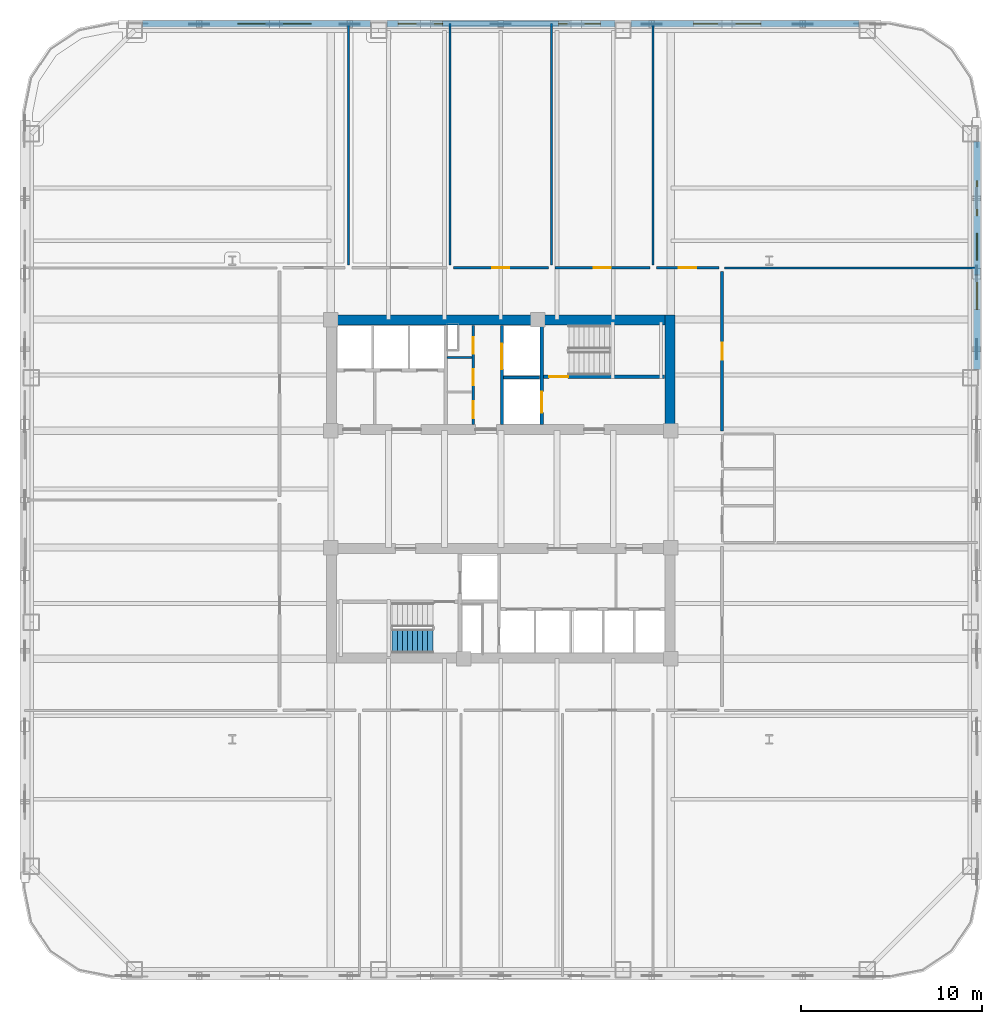
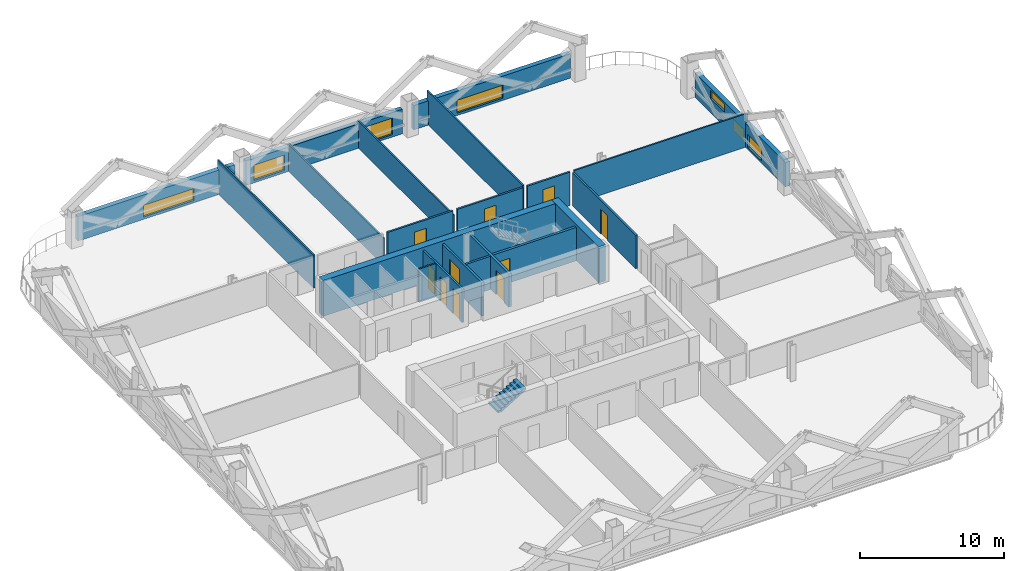
# One storey, part 7 of 14: 21 walls, 10 doors, 7 windows, 1 stair flight, 17 openings, 1 element without a shape of its own.
"""IFC4 building model written with IfcOpenShell, lengths in metres."""

from ifc_helpers import new_model, si_unit, direction, frame, frame_2d, origin, place, context, subcontext, project, spatial, polyline, rectangle, outline, extrude, material, layer, layer_set, type_object, element, fill, aggregate, save


model = new_model("IFC4")

# Units and contexts
model_context = context("Model", 3, precision=1e-05, world=origin(), true_north=direction((0.0, 1.0)))
body_context = subcontext(model_context, "Body", "Model", "MODEL_VIEW")
ifc_project = project(units=[si_unit("LENGTHUNIT", "METRE"), si_unit("AREAUNIT", "SQUARE_METRE"), si_unit("VOLUMEUNIT", "CUBIC_METRE"), si_unit("PLANEANGLEUNIT", "RADIAN"), si_unit("MASSUNIT", "GRAM", prefix="KILO")], contexts=[model_context])

# Site, building, storey
site_placement = place(None, origin())
site = spatial("IfcSite", under=ifc_project, at=site_placement, CompositionType="ELEMENT")
building_placement = place(site_placement, origin())
building = spatial("IfcBuilding", under=site, at=building_placement, Name="Qhalaya Broadcast Tower", CompositionType="ELEMENT")
storey_placement = place(building_placement, frame((0.0, 0.0, 38.300048828125)))
storey = spatial("IfcBuildingStorey", under=building, at=storey_placement, Name="L10", CompositionType="ELEMENT", Elevation=38.300048828125)

# Wall, openings, doors
ifc_material_1 = material(Name="Gypsum Acoustic Partition")
ifc_layer_1 = layer(ifc_material_1, 0.14990234375, Name="Gypsum Acoustic Partition")
ifc_layer_set_1 = layer_set([ifc_layer_1], Name="Gypsum Acoustic Partition")
wall_type_1 = type_object("IfcWallType", Name="Corridor & Tenancy Acoustic Partition 150", PredefinedType="PARTITIONING", material=ifc_layer_set_1)
wall_1_placement = place(storey_placement, frame((-1.52001953125, 4.169921875, 0.0), z_axis=(0.0, 0.0, 1.0), x_axis=(0.0, 1.0, 0.0)))
wall_1 = element("IfcWall", 1, at=wall_1_placement, inside=storey, type_object=wall_type_1, Name="L10 Partition Wall NCW-SVL", PredefinedType="PARTITIONING", context=body_context, shape_type="SweptSolid", body=[
    extrude(rectangle(XDim=5.4599609375, YDim=0.14990234375, at=frame_2d((2.72998046875, 0.0))), origin(), (0.0, 0.0, 1.0), 2.829833984375),
])
opening_1_placement = place(wall_1_placement, frame((3.89990234375, 0.0, 0.0)))
opening_1 = element("IfcOpeningElement", 2, at=opening_1_placement, cuts=wall_1, Name="Opening D06", PredefinedType="OPENING", context=body_context, shape_type="SweptSolid", body=[
    extrude(rectangle(XDim=0.89990234375, YDim=2.050048828125, at=frame_2d((0.449951171875, 1.02490234375))), frame((0.0, 0.0869140625, 0.0), z_axis=(0.0, -1.0, 0.0), x_axis=(1.0, 0.0, 0.0)), (0.0, 0.0, 1.0), 0.173828125),
])
opening_2_placement = place(wall_1_placement, frame((2.14990234375, 0.0, 0.0)))
opening_2 = element("IfcOpeningElement", 3, at=opening_2_placement, cuts=wall_1, Name="Opening D06", PredefinedType="OPENING", context=body_context, shape_type="SweptSolid", body=[
    extrude(rectangle(XDim=0.89990234375, YDim=2.050048828125, at=frame_2d((0.449951171875, 1.02490234375))), frame((0.0, 0.0869140625, 0.0), z_axis=(0.0, -1.0, 0.0), x_axis=(1.0, 0.0, 0.0)), (0.0, 0.0, 1.0), 0.173828125),
])
opening_3_placement = place(wall_1_placement, frame((0.35009765625, 0.0, 0.0)))
opening_3 = element("IfcOpeningElement", 4, at=opening_3_placement, cuts=wall_1, Name="Opening D12", PredefinedType="OPENING", context=body_context, shape_type="SweptSolid", body=[
    extrude(rectangle(XDim=0.919921875, YDim=2.10009765625, at=frame_2d((0.4599609375, 1.050048828125))), frame((0.0, 0.0869140625, 0.0), z_axis=(0.0, -1.0, 0.0), x_axis=(1.0, 0.0, 0.0)), (0.0, 0.0, 1.0), 0.173828125),
])
ifc_material_2 = material(Name="Timber Veneer Acoustic Door", Category="wood")
door_type_1 = type_object("IfcDoorType", Name="Accessible WC & Restroom Door D12", OperationType="NOTDEFINED", PredefinedType="DOOR", material=ifc_material_2)
door_1_placement = place(opening_3_placement, origin())
door_1 = element("IfcDoor", 5, at=door_1_placement, inside=storey, type_object=door_type_1, Name="L10 Door D-NCWC", OperationType="SINGLE_SWING_RIGHT", OverallHeight=2.10009765625, OverallWidth=0.919921875, PredefinedType="DOOR", context=body_context, shape_type="SweptSolid", body=[
    extrude(rectangle(XDim=0.919921875, YDim=2.10009765625, at=frame_2d((0.4599609375, 1.050048828125))), frame((0.0, 0.02490234375, 0.0), z_axis=(0.0, -1.0, 0.0), x_axis=(1.0, 0.0, 0.0)), (0.0, 0.0, 1.0), 0.050048828125),
])
fill(opening_3, door_1)
ifc_material_3 = material(Name="Fire-Rated Steel Door", Category="steel")
door_type_2 = type_object("IfcDoorType", Name="Riser & Electrical Shaft Access Door D06", OperationType="NOTDEFINED", PredefinedType="DOOR", material=ifc_material_3)
door_2_placement = place(opening_1_placement, origin())
door_2 = element("IfcDoor", 6, at=door_2_placement, inside=storey, type_object=door_type_2, Name="L10 Riser Shaft Access Door D-NRSR", OperationType="SINGLE_SWING_RIGHT", OverallHeight=2.050048828125, OverallWidth=0.89990234375, PredefinedType="DOOR", context=body_context, shape_type="SweptSolid", body=[
    extrude(rectangle(XDim=0.89990234375, YDim=2.050048828125, at=frame_2d((0.449951171875, 1.02490234375))), frame((0.0, 0.02490234375, 0.0), z_axis=(0.0, -1.0, 0.0), x_axis=(1.0, 0.0, 0.0)), (0.0, 0.0, 1.0), 0.050048828125),
])
fill(opening_1, door_2)
door_3_placement = place(opening_2_placement, origin())
door_3 = element("IfcDoor", 7, at=door_3_placement, inside=storey, type_object=door_type_2, Name="L10 Door D-NITR", OperationType="SINGLE_SWING_LEFT", OverallHeight=2.050048828125, OverallWidth=0.89990234375, PredefinedType="DOOR", context=body_context, shape_type="SweptSolid", body=[
    extrude(rectangle(XDim=0.89990234375, YDim=2.050048828125, at=frame_2d((0.449951171875, 1.02490234375))), frame((0.0, 0.02490234375, 0.0), z_axis=(0.0, -1.0, 0.0), x_axis=(1.0, 0.0, 0.0)), (0.0, 0.0, 1.0), 0.050048828125),
])
fill(opening_2, door_3)

# Wall, opening, door
wall_2_placement = place(storey_placement, frame((-2.6201171875, 12.800048828125, 0.0), z_axis=(0.0, 0.0, 1.0), x_axis=(1.0, 0.0, 0.0)))
wall_2 = element("IfcWall", 8, at=wall_2_placement, inside=storey, type_object=wall_type_1, Name="L10 Partition Wall W-COR-03", PredefinedType="PARTITIONING", context=body_context, shape_type="SweptSolid", body=[
    extrude(rectangle(XDim=5.240234375, YDim=0.14990234375, at=frame_2d((2.6201171875, 0.0))), origin(), (0.0, 0.0, 1.0), 2.829833984375),
])
opening_4_placement = place(wall_2_placement, frame((2.14501953125, 0.0, 0.0)))
opening_4 = element("IfcOpeningElement", 9, at=opening_4_placement, cuts=wall_2, Name="Opening D10", PredefinedType="OPENING", context=body_context, shape_type="SweptSolid", body=[
    extrude(rectangle(XDim=0.949951171875, YDim=2.10009765625, at=frame_2d((0.47509765625, 1.050048828125))), frame((0.0, 0.0869140625, 0.0), z_axis=(0.0, -1.0, 0.0), x_axis=(1.0, 0.0, 0.0)), (0.0, 0.0, 1.0), 0.173828125),
])
door_type_3 = type_object("IfcDoorType", Name="Cellular Office & Edit Booth Door D10", OperationType="NOTDEFINED", PredefinedType="DOOR", material=ifc_material_2)
door_4_placement = place(opening_4_placement, origin())
door_4 = element("IfcDoor", 10, at=door_4_placement, inside=storey, type_object=door_type_3, Name="L10 Door D-RM03", OperationType="SINGLE_SWING_RIGHT", OverallHeight=2.10009765625, OverallWidth=0.949951171875, PredefinedType="DOOR", context=body_context, shape_type="SweptSolid", body=[
    extrude(rectangle(XDim=0.949951171875, YDim=2.10009765625, at=frame_2d((0.47509765625, 1.050048828125))), frame((0.0, 0.02490234375, 0.0), z_axis=(0.0, -1.0, 0.0), x_axis=(1.0, 0.0, 0.0)), (0.0, 0.0, 1.0), 0.050048828125),
])
fill(opening_4, door_4)

wall_3_placement = place(storey_placement, frame((2.97998046875, 12.800048828125, 0.0), z_axis=(0.0, 0.0, 1.0), x_axis=(1.0, 0.0, 0.0)))
wall_3 = element("IfcWall", 11, at=wall_3_placement, inside=storey, type_object=wall_type_1, Name="L10 Partition Wall W-COR-04", PredefinedType="PARTITIONING", context=body_context, shape_type="SweptSolid", body=[
    extrude(rectangle(XDim=5.239990234375, YDim=0.14990234375, at=frame_2d((2.6201171875, 0.0))), origin(), (0.0, 0.0, 1.0), 2.829833984375),
])
opening_5_placement = place(wall_3_placement, frame((2.14501953125, 0.0, 0.0)))
opening_5 = element("IfcOpeningElement", 12, at=opening_5_placement, cuts=wall_3, Name="Opening D10", PredefinedType="OPENING", context=body_context, shape_type="SweptSolid", body=[
    extrude(rectangle(XDim=0.949951171875, YDim=2.10009765625, at=frame_2d((0.47509765625, 1.050048828125))), frame((0.0, 0.0869140625, 0.0), z_axis=(0.0, -1.0, 0.0), x_axis=(1.0, 0.0, 0.0)), (0.0, 0.0, 1.0), 0.173828125),
])
door_5_placement = place(opening_5_placement, origin())
door_5 = element("IfcDoor", 13, at=door_5_placement, inside=storey, type_object=door_type_3, Name="L10 Door D-RM04", OperationType="SINGLE_SWING_LEFT", OverallHeight=2.10009765625, OverallWidth=0.949951171875, PredefinedType="DOOR", context=body_context, shape_type="SweptSolid", body=[
    extrude(rectangle(XDim=0.949951171875, YDim=2.10009765625, at=frame_2d((0.47509765625, 1.050048828125))), frame((0.0, 0.02490234375, 0.0), z_axis=(0.0, -1.0, 0.0), x_axis=(1.0, 0.0, 0.0)), (0.0, 0.0, 1.0), 0.050048828125),
])
fill(opening_5, door_5)

wall_4_placement = place(storey_placement, frame((8.580078125, 12.800048828125, 0.0), z_axis=(0.0, 0.0, 1.0), x_axis=(1.0, 0.0, 0.0)))
wall_4 = element("IfcWall", 14, at=wall_4_placement, inside=storey, type_object=wall_type_1, Name="L10 Partition Wall W-COR-05", PredefinedType="PARTITIONING", context=body_context, shape_type="SweptSolid", body=[
    extrude(rectangle(XDim=3.43994140625, YDim=0.14990234375, at=frame_2d((1.719970703125, 0.0))), origin(), (0.0, 0.0, 1.0), 2.829833984375),
])
opening_6_placement = place(wall_4_placement, frame((1.2451171875, 0.0, 0.0)))
opening_6 = element("IfcOpeningElement", 15, at=opening_6_placement, cuts=wall_4, Name="Opening D10", PredefinedType="OPENING", context=body_context, shape_type="SweptSolid", body=[
    extrude(rectangle(XDim=0.949951171875, YDim=2.10009765625, at=frame_2d((0.47509765625, 1.050048828125))), frame((0.0, 0.0869140625, 0.0), z_axis=(0.0, -1.0, 0.0), x_axis=(1.0, 0.0, 0.0)), (0.0, 0.0, 1.0), 0.173828125),
])
door_6_placement = place(opening_6_placement, origin())
door_6 = element("IfcDoor", 16, at=door_6_placement, inside=storey, type_object=door_type_3, Name="L10 Door D-RM05", OperationType="SINGLE_SWING_RIGHT", OverallHeight=2.10009765625, OverallWidth=0.949951171875, PredefinedType="DOOR", context=body_context, shape_type="SweptSolid", body=[
    extrude(rectangle(XDim=0.949951171875, YDim=2.10009765625, at=frame_2d((0.47509765625, 1.050048828125))), frame((0.0, 0.02490234375, 0.0), z_axis=(0.0, -1.0, 0.0), x_axis=(1.0, 0.0, 0.0)), (0.0, 0.0, 1.0), 0.050048828125),
])
fill(opening_6, door_6)

wall_5_placement = place(storey_placement, frame((12.199951171875, 3.800048828125, 0.0), z_axis=(0.0, 0.0, 1.0), x_axis=(0.0, 1.0, 0.0)))
wall_5 = element("IfcWall", 17, at=wall_5_placement, inside=storey, type_object=wall_type_1, Name="L10 Partition Wall W-COR-14", PredefinedType="PARTITIONING", context=body_context, shape_type="SweptSolid", body=[
    extrude(rectangle(XDim=8.800048828125, YDim=0.14990234375, at=frame_2d((4.39990234375, 0.0))), origin(), (0.0, 0.0, 1.0), 2.829833984375),
])
opening_7_placement = place(wall_5_placement, frame((3.925048828125, 0.0, 0.0)))
opening_7 = element("IfcOpeningElement", 18, at=opening_7_placement, cuts=wall_5, Name="Opening D10", PredefinedType="OPENING", context=body_context, shape_type="SweptSolid", body=[
    extrude(rectangle(XDim=0.949951171875, YDim=2.10009765625, at=frame_2d((0.47509765625, 1.050048828125))), frame((0.0, 0.0869140625, 0.0), z_axis=(0.0, -1.0, 0.0), x_axis=(1.0, 0.0, 0.0)), (0.0, 0.0, 1.0), 0.173828125),
])
door_7_placement = place(opening_7_placement, origin())
door_7 = element("IfcDoor", 19, at=door_7_placement, inside=storey, type_object=door_type_3, Name="L10 Door D-RM14", OperationType="SINGLE_SWING_LEFT", OverallHeight=2.10009765625, OverallWidth=0.949951171875, PredefinedType="DOOR", context=body_context, shape_type="SweptSolid", body=[
    extrude(rectangle(XDim=0.949951171875, YDim=2.10009765625, at=frame_2d((0.47509765625, 1.050048828125))), frame((0.0, 0.02490234375, 0.0), z_axis=(0.0, -1.0, 0.0), x_axis=(1.0, 0.0, 0.0)), (0.0, 0.0, 1.0), 0.050048828125),
])
fill(opening_7, door_7)

# Wall, openings, windows
ifc_material_4 = material(Name="Precast Concrete C40/50", Category="concrete")
ifc_layer_2 = layer(ifc_material_4, 0.360107421875, Name="Precast Concrete C40/50")
ifc_layer_set_2 = layer_set([ifc_layer_2], Name="Precast Concrete C40/50")
wall_type_2 = type_object("IfcWallType", Name="Insulated Precast Terracotta Exterior Wall 360", PredefinedType="SOLIDWALL", material=ifc_layer_set_2)
wall_6_placement = place(storey_placement, frame((26.260009765625, 19.761962890625, 0.0), z_axis=(0.0, 0.0, 1.0), x_axis=(0.0, -1.0, 0.0)))
wall_6 = element("IfcWall", 20, at=wall_6_placement, inside=storey, type_object=wall_type_2, Name="L10 Exoskeleton Diagrid Infill Wall E1", PredefinedType="SOLIDWALL", context=body_context, shape_type="SweptSolid", body=[
    extrude(rectangle(XDim=12.57861328125, YDim=0.360107421875, at=frame_2d((6.289306640625, 0.0))), origin(), (0.0, 0.0, 1.0), 2.06689453125),
])
opening_8_placement = place(wall_6_placement, frame((2.14990234375, 0.0, 1.199951171875)))
opening_8 = element("IfcOpeningElement", 21, at=opening_8_placement, cuts=wall_6, Name="Opening W11", PredefinedType="OPENING", context=body_context, shape_type="SweptSolid", body=[
    extrude(rectangle(XDim=1.949951171875, YDim=0.699951171875, at=frame_2d((0.97509765625, 0.35009765625))), frame((0.0, 0.192138671875, 0.0), z_axis=(0.0, -1.0, 0.0), x_axis=(1.0, 0.0, 0.0)), (0.0, 0.0, 1.0), 0.384033203125),
])
opening_9_placement = place(wall_6_placement, frame((5.050048828125, 0.0, 0.199951171875)))
opening_9 = element("IfcOpeningElement", 22, at=opening_9_placement, cuts=wall_6, Name="Opening W11", PredefinedType="OPENING", context=body_context, shape_type="SweptSolid", body=[
    extrude(rectangle(XDim=1.5, YDim=0.949951171875, at=frame_2d((0.75, 0.47509765625))), frame((0.0, 0.192138671875, 0.0), z_axis=(0.0, -1.0, 0.0), x_axis=(1.0, 0.0, 0.0)), (0.0, 0.0, 1.0), 0.384033203125),
])
opening_10_placement = place(wall_6_placement, frame((7.35009765625, 0.0, 0.199951171875)))
opening_10 = element("IfcOpeningElement", 23, at=opening_10_placement, cuts=wall_6, Name="Opening W11", PredefinedType="OPENING", context=body_context, shape_type="SweptSolid", body=[
    extrude(rectangle(XDim=1.89990234375, YDim=1.10009765625, at=frame_2d((0.949951171875, 0.550048828125))), frame((0.0, 0.192138671875, 0.0), z_axis=(0.0, -1.0, 0.0), x_axis=(1.0, 0.0, 0.0)), (0.0, 0.0, 1.0), 0.384033203125),
])
ifc_material_5 = material(Name="Solar-Control Low-E Triple Glazing", Category="glass")
window_type = type_object("IfcWindowType", Name="Odd-Block Diagrid Infill Window W11", PartitioningType="SINGLE_PANEL", PredefinedType="WINDOW", material=ifc_material_5)
window_1_placement = place(opening_8_placement, origin())
window_1 = element("IfcWindow", 24, at=window_1_placement, inside=storey, type_object=window_type, Name="L10 Diagrid Infill Window W11-E1", OverallHeight=0.699951171875, OverallWidth=1.949951171875, PartitioningType="SINGLE_PANEL", PredefinedType="WINDOW", context=body_context, shape_type="SweptSolid", body=[
    extrude(rectangle(XDim=1.949951171875, YDim=0.699951171875, at=frame_2d((0.97509765625, 0.35009765625))), frame((0.0, 0.030029296875, 0.0), z_axis=(0.0, -1.0, 0.0), x_axis=(1.0, 0.0, 0.0)), (0.0, 0.0, 1.0), 0.06005859375),
])
fill(opening_8, window_1)
window_2_placement = place(opening_9_placement, origin())
window_2 = element("IfcWindow", 25, at=window_2_placement, inside=storey, type_object=window_type, Name="L10 Diagrid Infill Window W11-E2", OverallHeight=0.949951171875, OverallWidth=1.5, PartitioningType="SINGLE_PANEL", PredefinedType="WINDOW", context=body_context, shape_type="SweptSolid", body=[
    extrude(rectangle(XDim=1.5, YDim=0.949951171875, at=frame_2d((0.75, 0.47509765625))), frame((0.0, 0.030029296875, 0.0), z_axis=(0.0, -1.0, 0.0), x_axis=(1.0, 0.0, 0.0)), (0.0, 0.0, 1.0), 0.06005859375),
])
fill(opening_9, window_2)
window_3_placement = place(opening_10_placement, origin())
window_3 = element("IfcWindow", 26, at=window_3_placement, inside=storey, type_object=window_type, Name="L10 Diagrid Infill Window W11-E3", OverallHeight=1.10009765625, OverallWidth=1.89990234375, PartitioningType="SINGLE_PANEL", PredefinedType="WINDOW", context=body_context, shape_type="SweptSolid", body=[
    extrude(rectangle(XDim=1.89990234375, YDim=1.10009765625, at=frame_2d((0.949951171875, 0.550048828125))), frame((0.0, 0.030029296875, 0.0), z_axis=(0.0, -1.0, 0.0), x_axis=(1.0, 0.0, 0.0)), (0.0, 0.0, 1.0), 0.06005859375),
])
fill(opening_10, window_3)

# Wall, opening, window
wall_7_placement = place(storey_placement, frame((-19.761962890625, 26.260009765625, 0.0), z_axis=(0.0, 0.0, 1.0), x_axis=(1.0, 0.0, 0.0)))
wall_7 = element("IfcWall", 27, at=wall_7_placement, inside=storey, type_object=wall_type_2, Name="L10 Exoskeleton Diagrid Infill Wall N1", PredefinedType="SOLIDWALL", context=body_context, shape_type="SweptSolid", body=[
    extrude(rectangle(XDim=12.57861328125, YDim=0.360107421875, at=frame_2d((6.289306640625, 0.0))), origin(), (0.0, 0.0, 1.0), 2.06689453125),
])
opening_11_placement = place(wall_7_placement, frame((5.25, 0.0, 0.199951171875)))
opening_11 = element("IfcOpeningElement", 28, at=opening_11_placement, cuts=wall_7, Name="Opening W11", PredefinedType="OPENING", context=body_context, shape_type="SweptSolid", body=[
    extrude(rectangle(XDim=4.050048828125, YDim=1.0, at=frame_2d((2.02490234375, 0.5))), frame((0.0, 0.192138671875, 0.0), z_axis=(0.0, -1.0, 0.0), x_axis=(1.0, 0.0, 0.0)), (0.0, 0.0, 1.0), 0.384033203125),
])
window_4_placement = place(opening_11_placement, origin())
window_4 = element("IfcWindow", 29, at=window_4_placement, inside=storey, type_object=window_type, Name="L10 Diagrid Infill Window W11-N1", OverallHeight=1.0, OverallWidth=4.050048828125, PartitioningType="SINGLE_PANEL", PredefinedType="WINDOW", context=body_context, shape_type="SweptSolid", body=[
    extrude(rectangle(XDim=4.050048828125, YDim=1.0, at=frame_2d((2.02490234375, 0.5))), frame((0.0, 0.030029296875, 0.0), z_axis=(0.0, -1.0, 0.0), x_axis=(1.0, 0.0, 0.0)), (0.0, 0.0, 1.0), 0.06005859375),
])
fill(opening_11, window_4)

# Wall, openings, windows
wall_8_placement = place(storey_placement, frame((-6.283203125, 26.260009765625, 0.0), z_axis=(0.0, 0.0, 1.0), x_axis=(1.0, 0.0, 0.0)))
wall_8 = element("IfcWall", 30, at=wall_8_placement, inside=storey, type_object=wall_type_2, Name="L10 Exoskeleton Diagrid Infill Wall N2", PredefinedType="SOLIDWALL", context=body_context, shape_type="SweptSolid", body=[
    extrude(rectangle(XDim=12.56640625, YDim=0.360107421875, at=frame_2d((6.283203125, 0.0))), origin(), (0.0, 0.0, 1.0), 2.06689453125),
])
opening_12_placement = place(wall_8_placement, frame((0.62109375, 0.0, 0.199951171875)))
opening_12 = element("IfcOpeningElement", 31, at=opening_12_placement, cuts=wall_8, Name="Opening W11", PredefinedType="OPENING", context=body_context, shape_type="SweptSolid", body=[
    extrude(rectangle(XDim=2.449951171875, YDim=1.300048828125, at=frame_2d((1.22509765625, 0.64990234375))), frame((0.0, 0.192138671875, 0.0), z_axis=(0.0, -1.0, 0.0), x_axis=(1.0, 0.0, 0.0)), (0.0, 0.0, 1.0), 0.384033203125),
])
opening_13_placement = place(wall_8_placement, frame((9.470947265625, 0.0, 0.199951171875)))
opening_13 = element("IfcOpeningElement", 32, at=opening_13_placement, cuts=wall_8, Name="Opening W11", PredefinedType="OPENING", context=body_context, shape_type="SweptSolid", body=[
    extrude(rectangle(XDim=2.300048828125, YDim=1.39990234375, at=frame_2d((1.14990234375, 0.699951171875))), frame((0.0, 0.192138671875, 0.0), z_axis=(0.0, -1.0, 0.0), x_axis=(1.0, 0.0, 0.0)), (0.0, 0.0, 1.0), 0.384033203125),
])
window_5_placement = place(opening_12_placement, origin())
window_5 = element("IfcWindow", 33, at=window_5_placement, inside=storey, type_object=window_type, Name="L10 Diagrid Infill Window W11-N2", OverallHeight=1.300048828125, OverallWidth=2.449951171875, PartitioningType="SINGLE_PANEL", PredefinedType="WINDOW", context=body_context, shape_type="SweptSolid", body=[
    extrude(rectangle(XDim=2.449951171875, YDim=1.300048828125, at=frame_2d((1.22509765625, 0.64990234375))), frame((0.0, 0.030029296875, 0.0), z_axis=(0.0, -1.0, 0.0), x_axis=(1.0, 0.0, 0.0)), (0.0, 0.0, 1.0), 0.06005859375),
])
fill(opening_12, window_5)
window_6_placement = place(opening_13_placement, origin())
window_6 = element("IfcWindow", 34, at=window_6_placement, inside=storey, type_object=window_type, Name="L10 Diagrid Infill Window W11-N3", OverallHeight=1.39990234375, OverallWidth=2.300048828125, PartitioningType="SINGLE_PANEL", PredefinedType="WINDOW", context=body_context, shape_type="SweptSolid", body=[
    extrude(rectangle(XDim=2.300048828125, YDim=1.39990234375, at=frame_2d((1.14990234375, 0.699951171875))), frame((0.0, 0.030029296875, 0.0), z_axis=(0.0, -1.0, 0.0), x_axis=(1.0, 0.0, 0.0)), (0.0, 0.0, 1.0), 0.06005859375),
])
fill(opening_13, window_6)

# Wall, opening, window
wall_9_placement = place(storey_placement, frame((7.183349609375, 26.260009765625, 0.0), z_axis=(0.0, 0.0, 1.0), x_axis=(1.0, 0.0, 0.0)))
wall_9 = element("IfcWall", 35, at=wall_9_placement, inside=storey, type_object=wall_type_2, Name="L10 Exoskeleton Diagrid Infill Wall N3", PredefinedType="SOLIDWALL", context=body_context, shape_type="SweptSolid", body=[
    extrude(rectangle(XDim=12.57861328125, YDim=0.360107421875, at=frame_2d((6.289306640625, 0.0))), origin(), (0.0, 0.0, 1.0), 2.06689453125),
])
opening_14_placement = place(wall_9_placement, frame((3.455078125, 0.0, 0.199951171875)))
opening_14 = element("IfcOpeningElement", 36, at=opening_14_placement, cuts=wall_9, Name="Opening W11", PredefinedType="OPENING", context=body_context, shape_type="SweptSolid", body=[
    extrude(rectangle(XDim=3.699951171875, YDim=1.10009765625, at=frame_2d((1.85009765625, 0.550048828125))), frame((0.0, 0.192138671875, 0.0), z_axis=(0.0, -1.0, 0.0), x_axis=(1.0, 0.0, 0.0)), (0.0, 0.0, 1.0), 0.384033203125),
])
window_7_placement = place(opening_14_placement, origin())
window_7 = element("IfcWindow", 37, at=window_7_placement, inside=storey, type_object=window_type, Name="L10 Diagrid Infill Window W11-N4", OverallHeight=1.10009765625, OverallWidth=3.699951171875, PartitioningType="SINGLE_PANEL", PredefinedType="WINDOW", context=body_context, shape_type="SweptSolid", body=[
    extrude(rectangle(XDim=3.699951171875, YDim=1.10009765625, at=frame_2d((1.85009765625, 0.550048828125))), frame((0.0, 0.030029296875, 0.0), z_axis=(0.0, -1.0, 0.0), x_axis=(1.0, 0.0, 0.0)), (0.0, 0.0, 1.0), 0.06005859375),
])
fill(opening_14, window_7)

# Wall, opening, door
ifc_material_6 = material(Name="Concrete C50/60", Category="concrete")
ifc_layer_3 = layer(ifc_material_6, 0.199951171875, Name="Concrete C50/60")
ifc_layer_set_3 = layer_set([ifc_layer_3], Name="Concrete C50/60")
wall_type_3 = type_object("IfcWallType", Name="Load-Bearing Stair Shaft Wall 200", PredefinedType="SHEAR", material=ifc_layer_set_3)
wall_10_placement = place(storey_placement, frame((2.360107421875, 6.804931640625, 0.0), z_axis=(0.0, 0.0, 1.0), x_axis=(1.0, 0.0, 0.0)))
wall_10 = element("IfcWall", 38, at=wall_10_placement, inside=storey, type_object=wall_type_3, Name="L10 Stair Core Shear Wall NCW-ST1", PredefinedType="SHEAR", context=body_context, shape_type="SweptSolid", body=[
    extrude(rectangle(XDim=6.669921875, YDim=0.199951171875, at=frame_2d((3.3349609375, 0.0))), origin(), (0.0, 0.0, 1.0), 2.829833984375),
])
opening_15_placement = place(wall_10_placement, frame((0.300048828125, 0.0, 0.0)))
opening_15 = element("IfcOpeningElement", 39, at=opening_15_placement, cuts=wall_10, Name="Opening D03", PredefinedType="OPENING", context=body_context, shape_type="SweptSolid", body=[
    extrude(rectangle(XDim=1.050048828125, YDim=2.080078125, at=frame_2d((0.52490234375, 1.0400390625))), frame((0.0, 0.112060546875, 0.0), z_axis=(0.0, -1.0, 0.0), x_axis=(1.0, 0.0, 0.0)), (0.0, 0.0, 1.0), 0.223876953125),
])
door_type_4 = type_object("IfcDoorType", Name="Core Stair Protected Fire Door D03", OperationType="NOTDEFINED", PredefinedType="DOOR", material=ifc_material_3)
door_8_placement = place(opening_15_placement, origin())
door_8 = element("IfcDoor", 40, at=door_8_placement, inside=storey, type_object=door_type_4, Name="L10 Door D-NST1", OperationType="SINGLE_SWING_LEFT", OverallHeight=2.080078125, OverallWidth=1.050048828125, PredefinedType="DOOR", context=body_context, shape_type="SweptSolid", body=[
    extrude(rectangle(XDim=1.050048828125, YDim=2.080078125, at=frame_2d((0.52490234375, 1.0400390625))), frame((0.0, 0.02490234375, 0.0), z_axis=(0.0, -1.0, 0.0), x_axis=(1.0, 0.0, 0.0)), (0.0, 0.0, 1.0), 0.050048828125),
])
fill(opening_15, door_8)

wall_11_placement = place(storey_placement, frame((2.25, 4.169921875, 0.0), z_axis=(0.0, 0.0, 1.0), x_axis=(0.0, 1.0, 0.0)))
wall_11 = element("IfcWall", 41, at=wall_11_placement, inside=storey, type_object=wall_type_3, Name="L10 Stair Core Shear Wall NCW-FF", PredefinedType="SHEAR", context=body_context, shape_type="SweptSolid", body=[
    extrude(rectangle(XDim=5.4599609375, YDim=0.199951171875, at=frame_2d((2.72998046875, 0.0))), origin(), (0.0, 0.0, 1.0), 2.829833984375),
])
opening_16_placement = place(wall_11_placement, frame((0.64990234375, 0.0, 0.0)))
opening_16 = element("IfcOpeningElement", 42, at=opening_16_placement, cuts=wall_11, Name="Opening LD2", PredefinedType="OPENING", context=body_context, shape_type="SweptSolid", body=[
    extrude(rectangle(XDim=1.14990234375, YDim=2.080078125, at=frame_2d((0.574951171875, 1.0400390625))), frame((0.0, 0.112060546875, 0.0), z_axis=(0.0, -1.0, 0.0), x_axis=(1.0, 0.0, 0.0)), (0.0, 0.0, 1.0), 0.223876953125),
])
ifc_material_7 = material(Name="Brushed Stainless Steel Lift Door", Category="steel")
door_type_5 = type_object("IfcDoorType", Name="Firefighting Lift Sliding Landing Door LD2", OperationType="DOUBLE_DOOR_SLIDING", PredefinedType="DOOR", material=ifc_material_7)
door_9_placement = place(opening_16_placement, origin())
door_9 = element("IfcDoor", 43, at=door_9_placement, inside=storey, type_object=door_type_5, Name="L10 Door LD-FF1", OperationType="DOUBLE_DOOR_SLIDING", OverallHeight=2.080078125, OverallWidth=1.14990234375, PredefinedType="DOOR", context=body_context, shape_type="SweptSolid", body=[
    extrude(rectangle(XDim=1.14990234375, YDim=2.080078125, at=frame_2d((0.574951171875, 1.0400390625))), frame((0.0, 0.02490234375, 0.0), z_axis=(0.0, -1.0, 0.0), x_axis=(1.0, 0.0, 0.0)), (0.0, 0.0, 1.0), 0.050048828125),
])
fill(opening_16, door_9)

# Walls
ifc_material_8 = material(Name="Concrete C60/75", Category="concrete")
ifc_layer_4 = layer(ifc_material_8, 0.550048828125, Name="Concrete C60/75")
ifc_layer_set_4 = layer_set([ifc_layer_4], Name="Concrete C60/75")
wall_type_4 = type_object("IfcWallType", Name="Lower Split-Core Shear Wall 550", PredefinedType="SHEAR", material=ifc_layer_set_4)
wall_12_placement = place(storey_placement, frame((-9.60009765625, 9.925048828125, 0.0), z_axis=(0.0, 0.0, 1.0), x_axis=(1.0, 0.0, 0.0)))
element("IfcWall", 44, at=wall_12_placement, inside=storey, type_object=wall_type_4, Name="L10 Split-Core Shear Wall CW-NN", PredefinedType="SHEAR", context=body_context, shape_type="SweptSolid", body=[
    extrude(rectangle(XDim=19.2001953125, YDim=0.550048828125, at=frame_2d((9.60009765625, 0.0))), origin(), (0.0, 0.0, 1.0), 3.050048828125),
])
wall_13_placement = place(storey_placement, frame((9.324951171875, 3.60009765625, 0.0), z_axis=(0.0, 0.0, 1.0), x_axis=(0.0, 1.0, 0.0)))
element("IfcWall", 45, at=wall_13_placement, inside=storey, type_object=wall_type_4, Name="L10 Split-Core Shear Wall CW-NE", PredefinedType="SHEAR", context=body_context, shape_type="SweptSolid", body=[
    extrude(rectangle(XDim=6.599853515625, YDim=0.550048828125, at=frame_2d((3.2998046875, 0.0))), origin(), (0.0, 0.0, 1.0), 3.050048828125),
])
ifc_layer_5 = layer(ifc_material_1, 0.1201171875, Name="Gypsum Acoustic Partition")
ifc_layer_set_5 = layer_set([ifc_layer_5], Name="Gypsum Acoustic Partition")
wall_type_5 = type_object("IfcWallType", Name="Office, Booth & Sanitary Partition 120", PredefinedType="PARTITIONING", material=ifc_layer_set_5)
wall_14_placement = place(storey_placement, frame((-2.9599609375, 7.85009765625, 0.0), z_axis=(0.0, 0.0, 1.0), x_axis=(1.0, 0.0, 0.0)))
element("IfcWall", 46, at=wall_14_placement, inside=storey, type_object=wall_type_5, Name="L10 Partition Wall NCW-VB2", PredefinedType="PARTITIONING", context=body_context, shape_type="SweptSolid", body=[
    extrude(rectangle(XDim=1.35986328125, YDim=0.1201171875, at=frame_2d((0.679931640625, 0.0))), origin(), (0.0, 0.0, 1.0), 2.829833984375),
])
wall_15_placement = place(storey_placement, frame((12.340087890625, 12.800048828125, 0.0), z_axis=(0.0, 0.0, 1.0), x_axis=(1.0, 0.0, 0.0)))
element("IfcWall", 47, at=wall_15_placement, inside=storey, type_object=wall_type_5, Name="L10 Partition Wall W-BNDE1", PredefinedType="PARTITIONING", context=body_context, shape_type="SweptSolid", body=[
    extrude(rectangle(XDim=13.93994140625, YDim=0.1201171875, at=frame_2d((6.969970703125, 0.0))), origin(), (0.0, 0.0, 1.0), 2.829833984375),
])
wall_16_placement = place(storey_placement, frame((-8.39990234375, 12.9599609375, 0.0), z_axis=(0.0, 0.0, 1.0), x_axis=(0.0, 1.0, 0.0)))
element("IfcWall", 48, at=wall_16_placement, inside=storey, type_object=wall_type_5, Name="L10 Partition Wall W-DIVN1", PredefinedType="PARTITIONING", context=body_context, shape_type="SweptSolid", body=[
    extrude(rectangle(XDim=13.320068359375, YDim=0.1201171875, at=frame_2d((6.66015625, 0.0))), origin(), (0.0, 0.0, 1.0), 2.829833984375),
])
for number, where, z_axis, x_axis, name in (
    (49, (-2.800048828125, 12.9599609375, 0.0), (0.0, 0.0, 1.0), (0.0, 1.0, 0.0), "L10 Partition Wall W-DIVN2"),
    (50, (2.800048828125, 12.9599609375, 0.0), (0.0, 0.0, 1.0), (0.0, 1.0, 0.0), "L10 Partition Wall W-DIVN3"),
):
    element("IfcWall", number, at=place(storey_placement, frame(where, z_axis=z_axis, x_axis=x_axis)), inside=storey, type_object=wall_type_5, Name=name, PredefinedType="PARTITIONING", context=body_context, shape_type="SweptSolid", body=[
        extrude(rectangle(XDim=13.320068359375, YDim=0.1201171875, at=frame_2d((6.66015625, 0.0))), origin(), (0.0, 0.0, 1.0), 2.27392578125),
    ])
wall_17_placement = place(storey_placement, frame((8.39990234375, 12.9599609375, 0.0), z_axis=(0.0, 0.0, 1.0), x_axis=(0.0, 1.0, 0.0)))
element("IfcWall", 51, at=wall_17_placement, inside=storey, type_object=wall_type_5, Name="L10 Partition Wall W-DIVN4", PredefinedType="PARTITIONING", context=body_context, shape_type="SweptSolid", body=[
    extrude(rectangle(XDim=13.320068359375, YDim=0.1201171875, at=frame_2d((6.66015625, 0.0))), origin(), (0.0, 0.0, 1.0), 2.829833984375),
])

# Wall, opening, door
ifc_layer_6 = layer(ifc_material_1, 0.175048828125, Name="Gypsum Acoustic Partition")
ifc_layer_set_6 = layer_set([ifc_layer_6], Name="Gypsum Acoustic Partition")
wall_type_6 = type_object("IfcWallType", Name="Shaft & Riser Fire Partition 175", PredefinedType="PARTITIONING", material=ifc_layer_set_6)
wall_18_placement = place(storey_placement, frame((0.06005859375, 4.169921875, 0.0), z_axis=(0.0, 0.0, 1.0), x_axis=(0.0, 1.0, 0.0)))
wall_18 = element("IfcWall", 52, at=wall_18_placement, inside=storey, type_object=wall_type_6, Name="L10 Partition Wall NCW-SVW", PredefinedType="PARTITIONING", context=body_context, shape_type="SweptSolid", body=[
    extrude(rectangle(XDim=5.4599609375, YDim=0.175048828125, at=frame_2d((2.72998046875, 0.0))), origin(), (0.0, 0.0, 1.0), 2.829833984375),
])
opening_17_placement = place(wall_18_placement, frame((3.050048828125, 0.0, 0.0)))
opening_17 = element("IfcOpeningElement", 53, at=opening_17_placement, cuts=wall_18, Name="Opening LD3", PredefinedType="OPENING", context=body_context, shape_type="SweptSolid", body=[
    extrude(rectangle(XDim=1.39990234375, YDim=2.1201171875, at=frame_2d((0.699951171875, 1.06005859375))), frame((0.0, 0.099609375, 0.0), z_axis=(0.0, -1.0, 0.0), x_axis=(1.0, 0.0, 0.0)), (0.0, 0.0, 1.0), 0.198974609375),
])
door_type_6 = type_object("IfcDoorType", Name="Service Lift Wide Sliding Landing Door LD3", OperationType="DOUBLE_DOOR_SLIDING", PredefinedType="DOOR", material=ifc_material_7)
door_10_placement = place(opening_17_placement, origin())
door_10 = element("IfcDoor", 54, at=door_10_placement, inside=storey, type_object=door_type_6, Name="L10 Door LD-SV1", OperationType="DOUBLE_DOOR_SLIDING", OverallHeight=2.1201171875, OverallWidth=1.39990234375, PredefinedType="DOOR", context=body_context, shape_type="SweptSolid", body=[
    extrude(rectangle(XDim=1.39990234375, YDim=2.1201171875, at=frame_2d((0.699951171875, 1.06005859375))), frame((0.0, 0.02490234375, 0.0), z_axis=(0.0, -1.0, 0.0), x_axis=(1.0, 0.0, 0.0)), (0.0, 0.0, 1.0), 0.050048828125),
])
fill(opening_17, door_10)

# Wall
wall_19_placement = place(storey_placement, frame((0.159912109375, 6.75, 0.0), z_axis=(0.0, 0.0, 1.0), x_axis=(1.0, 0.0, 0.0)))
element("IfcWall", 55, at=wall_19_placement, inside=storey, type_object=wall_type_6, Name="L10 Partition Wall NCW-SVM", PredefinedType="PARTITIONING", context=body_context, shape_type="SweptSolid", body=[
    extrude(rectangle(XDim=1.97998046875, YDim=0.175048828125, at=frame_2d((0.989990234375, 0.0))), origin(), (0.0, 0.0, 1.0), 2.829833984375),
])

# Stair, stair flight
ifc_material_9 = material(Name="Concrete C40/50", Category="concrete")
stair_type = type_object("IfcStairType", Name="Protected Dogleg Core Stair 3150", PredefinedType="TWO_STRAIGHT_RUN_STAIR", material=ifc_material_9)
stair_placement = place(storey_placement, origin())
stair = element("IfcStair", 56, at=stair_placement, inside=storey, type_object=stair_type, Name="L10 South Core Exit Stair ST-2", PredefinedType="TWO_STRAIGHT_RUN_STAIR")
stair_flight_type = type_object("IfcStairFlightType", Name="Precast Concrete Stair Flight 3150", PredefinedType="STRAIGHT", material=ifc_material_4)
stair_flight_placement = place(storey_placement, frame((-5.989990234375, -7.780029296875, 1.52490234375), z_axis=(0.0, 0.0, 1.0), x_axis=(1.0, 0.0, 0.0)))
stair_flight = element("IfcStairFlight", 57, at=stair_flight_placement, type_object=stair_flight_type, Name="ST-2 flight 2", NumberOfRisers=9, NumberOfTreads=8, PredefinedType="STRAIGHT", RiserHeight=0.169444444, TreadLength=0.28, context=body_context, shape_type="SweptSolid", body=[
    extrude(outline(polyline([(0.0, 0.0), (0.0, 0.16943359375), (0.280029296875, 0.16943359375), (0.280029296875, 0.3388671875), (0.56005859375, 0.3388671875), (0.56005859375, 0.50830078125), (0.840087890625, 0.50830078125), (0.840087890625, 0.677734375), (1.1201171875, 0.677734375), (1.1201171875, 0.84716796875), (1.39990234375, 0.84716796875), (1.39990234375, 1.0166015625), (1.679931640625, 1.0166015625), (1.679931640625, 1.18603515625), (1.9599609375, 1.18603515625), (1.9599609375, 1.35546875), (2.239990234375, 1.35546875), (2.239990234375, 1.52490234375), (2.239990234375, 1.180419921875), (0.28955078125, 0.0), (0.0, 0.0)])), frame((0.0, 0.66015625, 0.0), z_axis=(0.0, -1.0, 0.0), x_axis=(1.0, 0.0, 0.0)), (0.0, 0.0, 1.0), 1.320068359375),
])
aggregate(stair, [stair_flight])

save(model, "model.ifc")
